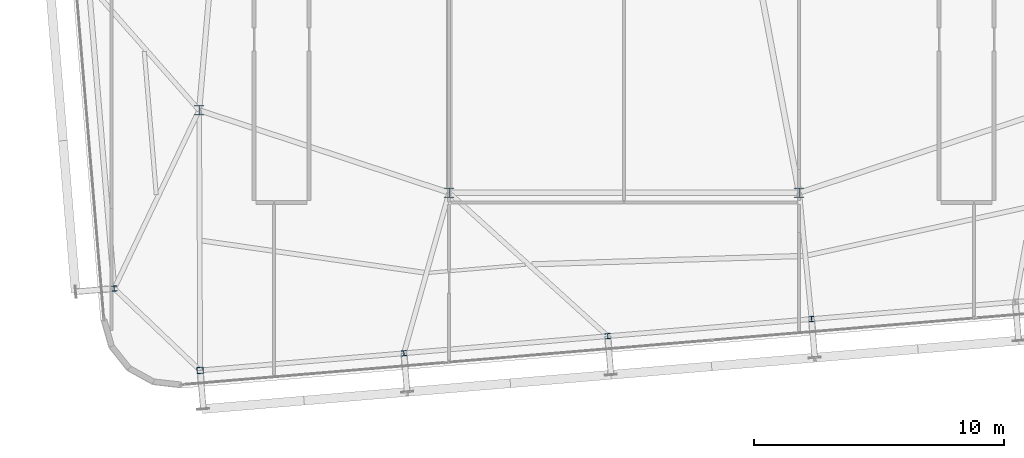
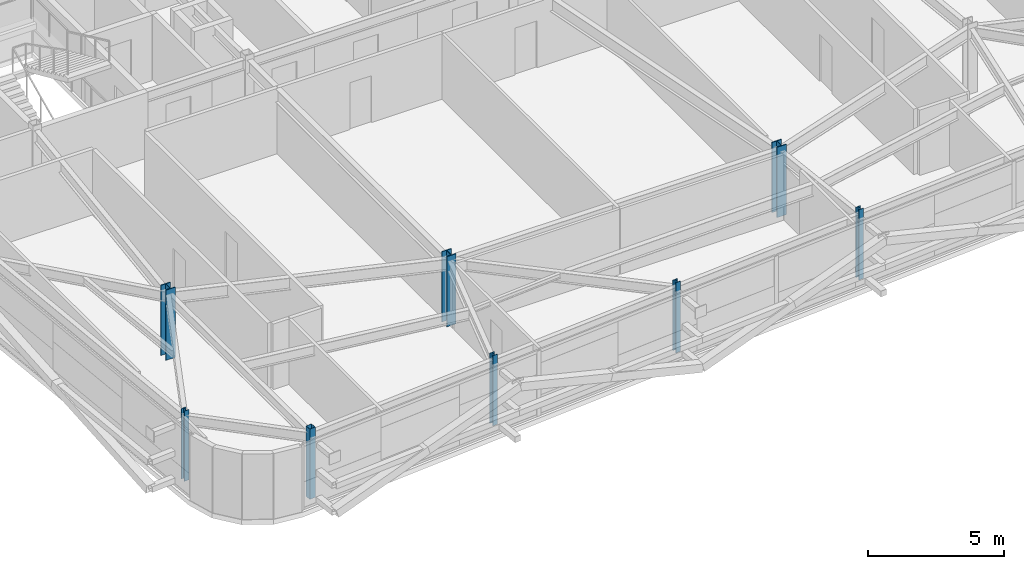
# One storey, part 1 of 37: 8 columns.
"""IFC4 building model written with IfcOpenShell, lengths in metres."""

import ifcopenshell
import ifcopenshell.guid

model = None  # the IFC model being written
_history = None  # IfcOwnerHistory: only IFC2X3 demands one
_inside = {}  # id of a spatial element -> (the spatial element, [elements in it])
_under = {}  # id of a project, library or spatial element -> (it, [spatial elements below it])
_declared = {}  # id of a project -> (the project, [libraries it declares])
_typed = {}  # id of a type object -> (the type object, [elements of that type])
_made_of = {}  # id of a material, layer set ... -> (it, [elements and type objects made of it])


def new_model(schema):
    """Start an empty IFC model of exactly this schema.

    Asked for "IFC4X3", IfcOpenShell would pick the latest addendum, in which some entities
    have other attributes; the version numbers below select the first issue.
    IFC2X3 requires an IfcOwnerHistory on every rooted entity: one is made here for all.
    """
    global model, _history
    if schema == "IFC4X3":
        model = ifcopenshell.file(schema_version=(4, 3, 0, 0))
    else:
        model = ifcopenshell.file(schema=schema)
    _inside.clear()
    _under.clear()
    _declared.clear()
    _typed.clear()
    _made_of.clear()
    _history = None
    if model.schema == "IFC2X3":
        org = make("IfcOrganization", Name="unknown")
        user = make(
            "IfcPersonAndOrganization",
            ThePerson=make("IfcPerson", FamilyName="unknown"),
            TheOrganization=org,
        )
        app = make(
            "IfcApplication",
            ApplicationDeveloper=org,
            Version="unknown",
            ApplicationFullName="unknown",
            ApplicationIdentifier="unknown",
        )
        _history = make(
            "IfcOwnerHistory",
            OwningUser=user,
            OwningApplication=app,
            ChangeAction="ADDED",
            CreationDate=0,
        )
    return model


def make(cls, **values):
    """One entity of the class cls with the attributes given. An attribute that is None is left unset."""
    return model.create_entity(
        cls, **{name: value for name, value in values.items() if value is not None}
    )


def rooted(cls, **values):
    """An entity with a GlobalId (a new one), such as an element, a storey or a relation."""
    return make(cls, GlobalId=ifcopenshell.guid.new(), OwnerHistory=_history, **values)


def si_unit(unit_type, name, prefix=None):
    """IfcSIUnit, for example si_unit("LENGTHUNIT", "METRE", prefix="MILLI")."""
    return make("IfcSIUnit", UnitType=unit_type, Prefix=prefix, Name=name)


def assignment(units):
    """IfcUnitAssignment: the units of a project."""
    return None if units is None else make("IfcUnitAssignment", Units=units)


def point(xyz):
    """IfcCartesianPoint."""
    return None if xyz is None else make("IfcCartesianPoint", Coordinates=xyz)


def direction(xyz):
    """IfcDirection."""
    return None if xyz is None else make("IfcDirection", DirectionRatios=xyz)


def frame(location, z_axis=None, x_axis=None):
    """IfcAxis2Placement3D, a coordinate frame: its origin and axes. An axis left out is left unset."""
    return make(
        "IfcAxis2Placement3D",
        Location=point(location),
        Axis=direction(z_axis),
        RefDirection=direction(x_axis),
    )


def frame_2d(location, x_axis=None):
    """IfcAxis2Placement2D, a coordinate frame in the plane: its origin and x axis."""
    return make(
        "IfcAxis2Placement2D", Location=point(location), RefDirection=direction(x_axis)
    )


def origin():
    """The frame at (0, 0, 0) with its axes left unset."""
    return frame((0.0, 0.0, 0.0))


def origin_2d():
    """The frame at (0, 0) in the plane with its x axis left unset."""
    return frame_2d((0.0, 0.0))


def place(relative_to, where):
    """IfcLocalPlacement: puts the frame where relative to a parent placement (None: the world)."""
    return make(
        "IfcLocalPlacement", PlacementRelTo=relative_to, RelativePlacement=where
    )


def context(
    kind, dimensions, precision=None, world=None, true_north=None, identifier=None
):
    """IfcGeometricRepresentationContext, for example the 3D "Model" context."""
    return make(
        "IfcGeometricRepresentationContext",
        ContextIdentifier=identifier,
        ContextType=kind,
        CoordinateSpaceDimension=dimensions,
        Precision=precision,
        WorldCoordinateSystem=world,
        TrueNorth=true_north,
    )


def subcontext(parent, identifier, kind, view, scale=None):
    """IfcGeometricRepresentationSubContext, for example "Body" below "Model"."""
    return make(
        "IfcGeometricRepresentationSubContext",
        ContextIdentifier=identifier,
        ContextType=kind,
        ParentContext=parent,
        TargetScale=scale,
        TargetView=view,
    )


def project(units=None, contexts=None):
    """IfcProject with its units and contexts."""
    return rooted(
        "IfcProject",
        Name="project",
        RepresentationContexts=contexts,
        UnitsInContext=assignment(units),
    )


def spatial(cls, under=None, at=None, **own):
    """A site, building, storey or space (cls), placed at a placement, below another one or the project."""
    s = rooted(cls, ObjectPlacement=at, **own)
    if under is not None:
        _under.setdefault(under.id(), (under, []))[1].append(s)
    return s


def profile(cls, at=None, kind="AREA", **sizes):
    """A parametric profile (cls). Its sizes go by their IFC names, for example OverallWidth=200.0."""
    return make(cls, ProfileType=kind, Position=at, **sizes)


def hollow_rectangle(**sizes):
    """IfcRectangleHollowProfileDef."""
    return profile("IfcRectangleHollowProfileDef", **sizes)


def i_section(**sizes):
    """IfcIShapeProfileDef."""
    return profile("IfcIShapeProfileDef", **sizes)


def extrude(swept, where, along, depth):
    """IfcExtrudedAreaSolid: the profile swept, set in the frame where, extruded along a direction by depth."""
    return make(
        "IfcExtrudedAreaSolid",
        SweptArea=swept,
        Position=where,
        ExtrudedDirection=direction(along),
        Depth=depth,
    )


def shape(context_of_items, identifier, shape_type, items):
    """IfcShapeRepresentation: the items that make up one representation, for example the "Body"."""
    return make(
        "IfcShapeRepresentation",
        ContextOfItems=context_of_items,
        RepresentationIdentifier=identifier,
        RepresentationType=shape_type,
        Items=items,
    )


def source(mapping_origin, context_of_items, identifier, shape_type, items):
    """IfcRepresentationMap: a shape defined once, which mapped items show again and again."""
    return make(
        "IfcRepresentationMap",
        MappingOrigin=mapping_origin,
        MappedRepresentation=shape(context_of_items, identifier, shape_type, items),
    )


def transform(
    local_origin,
    x_axis=None,
    y_axis=None,
    z_axis=None,
    scale=None,
    scale2=None,
    scale3=None,
    uniform=True,
):
    """IfcCartesianTransformationOperator3D, or its non-uniform kind. x_axis, y_axis, z_axis: its Axis1, 2, 3."""
    if uniform:
        return make(
            "IfcCartesianTransformationOperator3D",
            Axis1=direction(x_axis),
            Axis2=direction(y_axis),
            LocalOrigin=point(local_origin),
            Scale=scale,
            Axis3=direction(z_axis),
        )
    return make(
        "IfcCartesianTransformationOperator3DnonUniform",
        Axis1=direction(x_axis),
        Axis2=direction(y_axis),
        LocalOrigin=point(local_origin),
        Scale=scale,
        Axis3=direction(z_axis),
        Scale2=scale2,
        Scale3=scale3,
    )


def mapped(mapping_source, mapping_target):
    """IfcMappedItem: shows the shape of a source again, moved by a transform."""
    return make(
        "IfcMappedItem", MappingSource=mapping_source, MappingTarget=mapping_target
    )


def material(Name=None, Category=None):
    """IfcMaterial."""
    return make("IfcMaterial", Name=Name, Category=Category)


def material_profile(
    of_material, cross_section, Name=None, Category=None, Priority=None
):
    """IfcMaterialProfile: a cross section and its material."""
    return make(
        "IfcMaterialProfile",
        Name=Name,
        Material=of_material,
        Profile=cross_section,
        Priority=Priority,
        Category=Category,
    )


def profile_set(profiles, Name=None, composite=None):
    """IfcMaterialProfileSet."""
    return make(
        "IfcMaterialProfileSet",
        Name=Name,
        MaterialProfiles=profiles,
        CompositeProfile=composite,
    )


def made_of(thing, what):
    """Note that an element or type object is made of a material, layer set ...; save() writes the relation."""
    if what is not None:
        _made_of.setdefault(what.id(), (what, []))[1].append(thing)
    return thing


def type_object(cls, material=None, **own):
    """A type object (cls), such as IfcWallType, which elements share."""
    return made_of(rooted(cls, **own), material)


def element(
    cls,
    number,
    at=None,
    inside=None,
    cuts=None,
    type_object=None,
    material=None,
    context=None,
    identifier="Body",
    shape_type=None,
    held_by="IfcProductDefinitionShape",
    body=None,
    shapes=None,
    **own,
):
    """One element of the class cls, such as IfcWall. Its Tag is "e" and its number.

    at: its placement. inside: the storey or other place that contains it. cuts: it is an
    opening in that element (IfcRelVoidsElement). A single representation is given by context,
    identifier, shape_type and body (its items); several are given by shapes. held_by: the class
    of the entity that holds the representations. save() writes the other relations.
    """
    e = rooted(cls, Tag="e%d" % number, ObjectPlacement=at, **own)
    if body is not None:
        shapes = [shape(context, identifier, shape_type, body)]
    if shapes is not None:
        e.Representation = make(held_by, Representations=shapes)
    if inside is not None:
        _inside.setdefault(inside.id(), (inside, []))[1].append(e)
    if cuts is not None:
        rooted(
            "IfcRelVoidsElement", RelatingBuildingElement=cuts, RelatedOpeningElement=e
        )
    if type_object is not None:
        _typed.setdefault(type_object.id(), (type_object, []))[1].append(e)
    return made_of(e, material)


def aggregate(whole, parts):
    """IfcRelAggregates: a whole, such as a stair, and the parts it consists of."""
    return rooted("IfcRelAggregates", RelatingObject=whole, RelatedObjects=parts)


def save(model, path):
    """Write the relations noted so far, then the file.

    IfcRelAggregates (storeys below a building ...), IfcRelContainedInSpatialStructure (elements
    in a storey), IfcRelDefinesByType, IfcRelAssociatesMaterial and IfcRelDeclares: one each for
    every whole, place, type object, material and project.
    """
    for whole, parts in _under.values():
        aggregate(whole, parts)
    for where, things in _inside.values():
        rooted(
            "IfcRelContainedInSpatialStructure",
            RelatedElements=things,
            RelatingStructure=where,
        )
    for kind, things in _typed.values():
        rooted("IfcRelDefinesByType", RelatedObjects=things, RelatingType=kind)
    for what, things in _made_of.values():
        rooted("IfcRelAssociatesMaterial", RelatedObjects=things, RelatingMaterial=what)
    for by, libraries in _declared.values():
        rooted("IfcRelDeclares", RelatingContext=by, RelatedDefinitions=libraries)
    model.write(path)


model = new_model("IFC4")

# Units and contexts
model_context = context("Model", 3, precision=1e-05, world=origin(), true_north=direction((0.0, 1.0)))
body_context = subcontext(model_context, "Body", "Model", "MODEL_VIEW")
ifc_project = project(units=[si_unit("LENGTHUNIT", "METRE"), si_unit("AREAUNIT", "SQUARE_METRE"), si_unit("VOLUMEUNIT", "CUBIC_METRE"), si_unit("PLANEANGLEUNIT", "RADIAN"), si_unit("MASSUNIT", "GRAM", prefix="KILO")], contexts=[model_context])

# Site, building, storey
site_placement = place(None, origin())
site = spatial("IfcSite", under=ifc_project, at=site_placement, CompositionType="ELEMENT")
building_placement = place(site_placement, origin())
building = spatial("IfcBuilding", under=site, at=building_placement, Name="Taldren Reach Tower", CompositionType="ELEMENT")
storey_placement = place(building_placement, frame((0.0, 0.0, 172.550048828125)))
storey = spatial("IfcBuildingStorey", under=building, at=storey_placement, Name="L52", CompositionType="ELEMENT", Elevation=172.550048828125)

# Columns
ifc_material_1 = material(Name="Steel Gr 350 (350PLUS)", Category="steel")
ifc_material_profile_1 = material_profile(ifc_material_1, i_section(OverallWidth=0.39990234375, OverallDepth=0.39599609375, WebThickness=0.02197265625, FlangeThickness=0.033935546875, at=origin_2d()), Name="400WC270")
ifc_profile_set_1 = profile_set([ifc_material_profile_1], Name="Steel Gr 350 (350PLUS)")
column_type_1 = type_object("IfcColumnType", Name="COL-WC400", PredefinedType="COLUMN", material=ifc_profile_set_1)
shared_shape_1 = source(origin(), body_context, "Body", "SweptSolid", [
    extrude(i_section(OverallWidth=0.39990234375, OverallDepth=0.39599609375, WebThickness=0.02197265625, FlangeThickness=0.033935546875, at=origin_2d()), origin(), (0.0, 0.0, 1.0), 3.14990234375),
])
for number, where, z_axis, x_axis, name in (
    (1, (28.0, 9.199951171875, 0.0), (0.0, 0.0, 1.0), (1.0, 0.0, 0.0), "Mega column MC-PJW L52"),
    (2, (42.0, 9.199951171875, 0.0), (0.0, 0.0, 1.0), (1.0, 0.0, 0.0), "Mega column MC-PJE L52"),
    (3, (18.0, 12.5, 0.0), (0.0, 0.0, 1.0), (1.0, 0.0, 0.0), "Mega column MC-SW L52"),
):
    element("IfcColumn", number, at=place(storey_placement, frame(where, z_axis=z_axis, x_axis=x_axis)), inside=storey, type_object=column_type_1, Name=name, PredefinedType="COLUMN", context=body_context, shape_type="MappedRepresentation", body=[
        mapped(shared_shape_1, transform((0.0, 0.0, 0.0), scale=1.0)),
    ])
ifc_material_2 = material(Name="Steel Gr 350 (C350L0)", Category="steel")
ifc_material_profile_2 = material_profile(ifc_material_2, hollow_rectangle(XDim=0.25, YDim=0.25, WallThickness=0.010009765625, at=origin_2d()), Name="250x250x10.0SHS")
ifc_profile_set_2 = profile_set([ifc_material_profile_2], Name="Steel Gr 350 (C350L0)")
column_type_2 = type_object("IfcColumnType", Name="COL-SHS250", PredefinedType="COLUMN", material=ifc_profile_set_2)
shared_shape_2 = source(origin(), body_context, "Body", "SweptSolid", [
    extrude(hollow_rectangle(XDim=0.25, YDim=0.25, WallThickness=0.010009765625, at=origin_2d()), origin(), (0.0, 0.0, 1.0), 3.14990234375),
])
column_placement = place(storey_placement, frame((18.03955078125, 2.093994140625, 0.0), z_axis=(0.0, 0.0, 1.0), x_axis=(0.99649285925, 0.083677843332, 0.0)))
element("IfcColumn", 4, at=column_placement, inside=storey, type_object=column_type_2, Name="Block B4 perimeter column S1 L52", PredefinedType="COLUMN", context=body_context, shape_type="MappedRepresentation", body=[
    mapped(shared_shape_2, transform((0.0, 0.0, 0.0), scale=1.0)),
])
ifc_material_profile_3 = material_profile(ifc_material_1, i_section(OverallWidth=0.205078125, OverallDepth=0.2099609375, WebThickness=0.00927734375, FlangeThickness=0.01416015625, at=origin_2d()), Name="200UC59.5")
ifc_profile_set_3 = profile_set([ifc_material_profile_3], Name="Steel Gr 350 (350PLUS)")
column_type_3 = type_object("IfcColumnType", Name="COL-UC200", PredefinedType="COLUMN", material=ifc_profile_set_3)
shared_shape_3 = source(origin(), body_context, "Body", "SweptSolid", [
    extrude(i_section(OverallWidth=0.205078125, OverallDepth=0.2099609375, WebThickness=0.00927734375, FlangeThickness=0.01416015625, at=origin_2d()), origin(), (0.0, 0.0, 1.0), 3.14990234375),
])
for number, where, z_axis, x_axis, name in (
    (5, (26.19091796875, 2.778564453125, 0.0), (0.0, 0.0, 1.0), (0.99649285925, 0.083677843332, 0.0), "Block B4 perimeter column S2 L52"),
    (6, (34.34228515625, 3.462890625, 0.0), (0.0, 0.0, 1.0), (0.99649285925, 0.083677843332, 0.0), "Block B4 perimeter column S3 L52"),
    (7, (42.49365234375, 4.1474609375, 0.0), (0.0, 0.0, 1.0), (0.99649285925, 0.083677843332, 0.0), "Block B4 perimeter column S4 L52"),
    (8, (14.603759765625, 5.367919921875, 0.0), (0.0, 0.0, 1.0), (0.99649285925, 0.083677843332, 0.0), "Block B4 perimeter column W1 L52"),
):
    element("IfcColumn", number, at=place(storey_placement, frame(where, z_axis=z_axis, x_axis=x_axis)), inside=storey, type_object=column_type_3, Name=name, PredefinedType="COLUMN", context=body_context, shape_type="MappedRepresentation", body=[
        mapped(shared_shape_3, transform((0.0, 0.0, 0.0), scale=1.0)),
    ])

save(model, "model.ifc")
